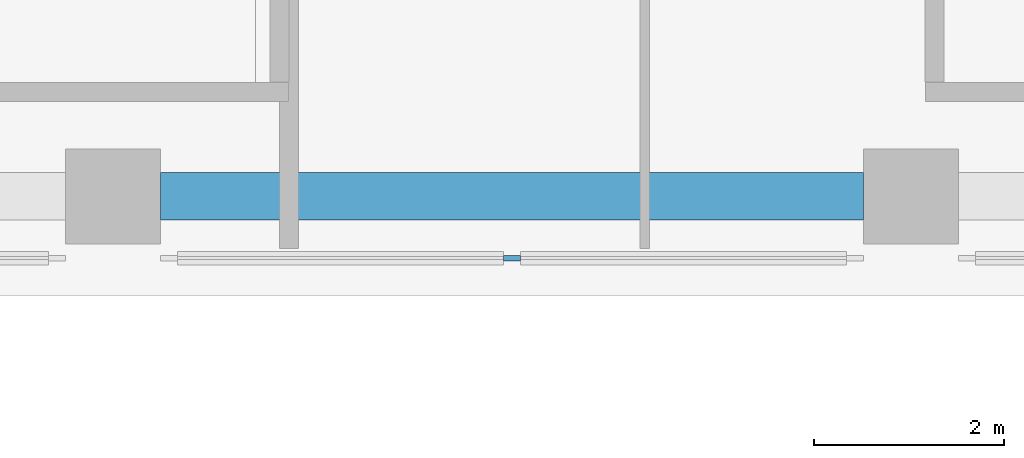
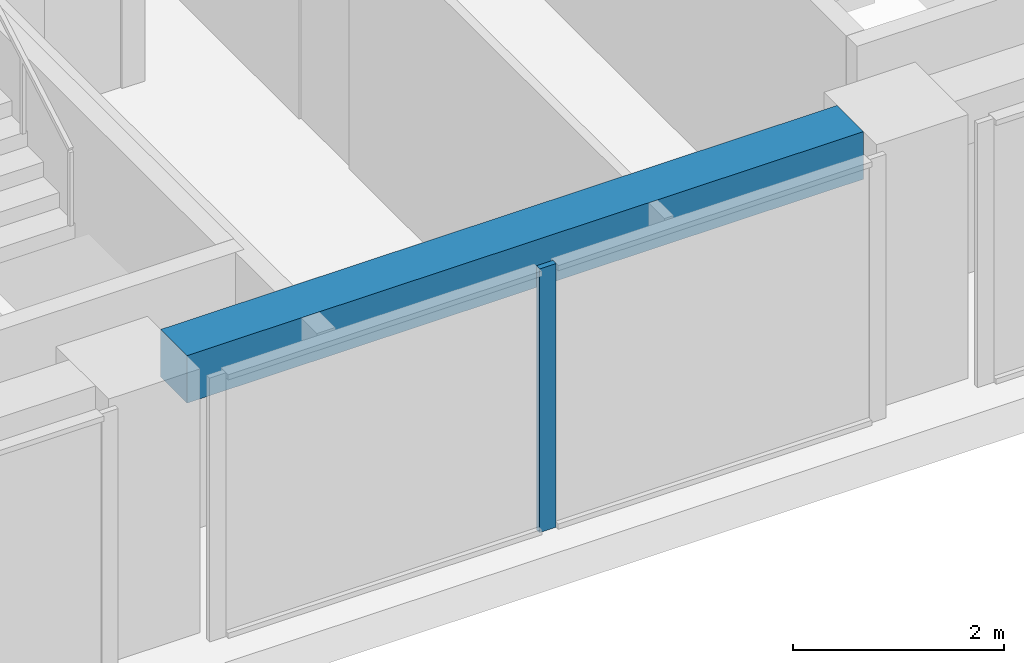
# One storey, part 3 of 16: 1 beam, 1 member, 1 element without a shape of its own.
"""IFC4 building model written with IfcOpenShell, lengths in metres."""

from ifc_helpers import new_model, si_unit, direction, frame, origin, origin_2d, place, context, subcontext, project, spatial, rectangle, extrude, material, material_profile, profile_set, type_object, element, aggregate, save


model = new_model("IFC4")

# Units and contexts
model_context = context("Model", 3, precision=1e-05, world=origin(), true_north=direction((0.0, 1.0)))
body_context = subcontext(model_context, "Body", "Model", "MODEL_VIEW")
ifc_project = project(units=[si_unit("LENGTHUNIT", "METRE"), si_unit("AREAUNIT", "SQUARE_METRE"), si_unit("VOLUMEUNIT", "CUBIC_METRE"), si_unit("PLANEANGLEUNIT", "RADIAN"), si_unit("MASSUNIT", "GRAM", prefix="KILO")], contexts=[model_context])

# Site, building, storey
site_placement = place(None, origin())
site = spatial("IfcSite", under=ifc_project, at=site_placement, CompositionType="ELEMENT")
building_placement = place(site_placement, origin())
building = spatial("IfcBuilding", under=site, at=building_placement, Name="Vermilion Ogive Tower", CompositionType="ELEMENT")
storey_placement = place(building_placement, frame((0.0, 0.0, 182.449951171875)))
storey = spatial("IfcBuildingStorey", under=building, at=storey_placement, Name="L47", CompositionType="ELEMENT", Elevation=182.449951171875)

# Curtain wall, member
ifc_material_1 = material(Name="Low-iron laminated glazing in aluminium frame", Category="aluminium")
curtain_wall_type = type_object("IfcCurtainWallType", Name="Curtain wall CW7", PredefinedType="NOTDEFINED", material=ifc_material_1)
curtain_wall_placement = place(storey_placement, origin())
curtain_wall = element("IfcCurtainWall", 1, at=curtain_wall_placement, inside=storey, type_object=curtain_wall_type, Name="Glazed skin S3", PredefinedType="NOTDEFINED")
ifc_material_2 = material(Name="Aluminium mullion", Category="aluminium")
ifc_material_profile_1 = material_profile(ifc_material_2, rectangle(XDim=0.06005859375, YDim=0.179931640625, at=origin_2d()), Name="AL 60x180")
ifc_profile_set_1 = profile_set([ifc_material_profile_1], Name="Aluminium mullion")
member_type = type_object("IfcMemberType", Name="CW7 mullion 60x180", PredefinedType="MULLION", material=ifc_profile_set_1)
member_placement = place(storey_placement, frame((4.199951171875, -21.64990234375, 0.0), z_axis=(0.0, 0.0, 1.0), x_axis=(0.0, 1.0, 0.0)))
member = element("IfcMember", 2, at=member_placement, type_object=member_type, Name="CW7-S3 mullion 2", PredefinedType="MULLION", context=body_context, shape_type="SweptSolid", body=[
    extrude(rectangle(XDim=0.06005859375, YDim=0.179931640625, at=origin_2d()), origin(), (0.0, 0.0, 1.0), 3.050048828125),
])
aggregate(curtain_wall, [member])

# Beam
ifc_material_3 = material(Name="Concrete B45", Category="concrete")
ifc_material_profile_2 = material_profile(ifc_material_3, rectangle(XDim=0.5, YDim=0.550048828125, at=origin_2d()), Name="500 x 550")
ifc_profile_set_2 = profile_set([ifc_material_profile_2], Name="Concrete B45")
beam_type = type_object("IfcBeamType", Name="Edge beam 500 x 550 B45", PredefinedType="BEAM", material=ifc_profile_set_2)
beam_placement = place(storey_placement, frame((0.5, -21.0, 2.775146484375), z_axis=(1.0, 0.0, 0.0), x_axis=(0.0, 1.0, 0.0)))
element("IfcBeam", 3, at=beam_placement, inside=storey, type_object=beam_type, Name="L47-EB-3", PredefinedType="BEAM", context=body_context, shape_type="SweptSolid", body=[
    extrude(rectangle(XDim=0.5, YDim=0.550048828125, at=origin_2d()), origin(), (0.0, 0.0, 1.0), 7.39990234375),
])

save(model, "model.ifc")
